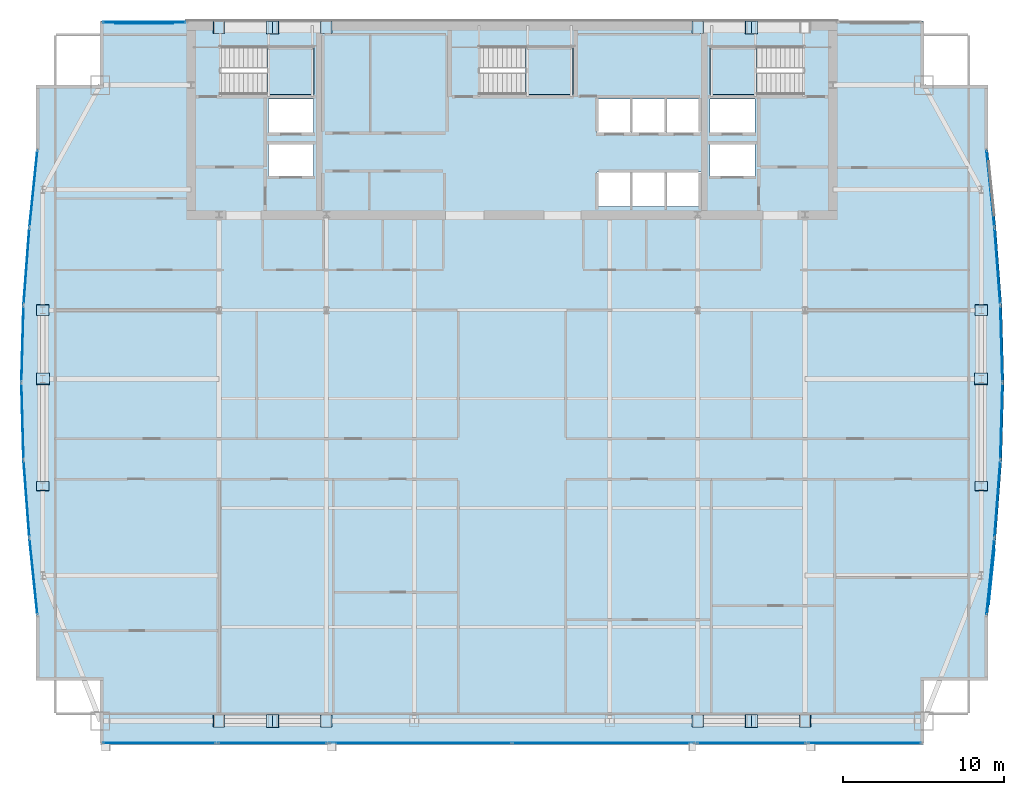
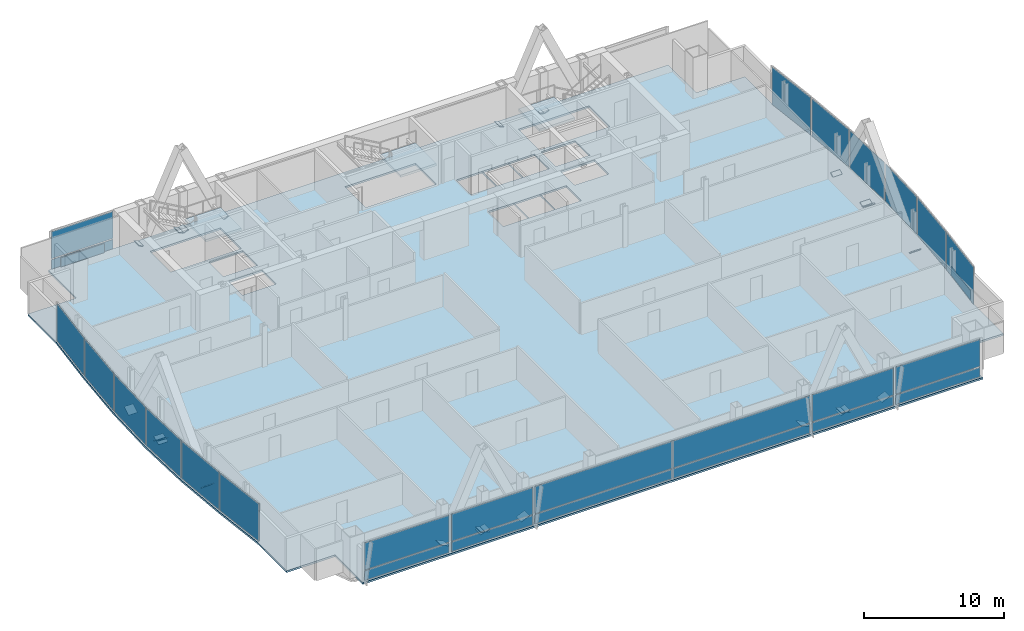
# One storey, part 26 of 32: 51 plates, 4 slabs, 21 elements without a shape of their own.
"""IFC4 building model written with IfcOpenShell, lengths in metres."""

from ifc_helpers import new_model, si_unit, direction, frame, origin, origin_2d, place, context, subcontext, project, spatial, polyline, rectangle, outline, extrude, material, layer, layer_set, type_object, element, aggregate, save


model = new_model("IFC4")

# Units and contexts
model_context = context("Model", 3, precision=1e-05, world=origin(), true_north=direction((0.0, 1.0)))
body_context = subcontext(model_context, "Body", "Model", "MODEL_VIEW")
ifc_project = project(units=[si_unit("LENGTHUNIT", "METRE"), si_unit("AREAUNIT", "SQUARE_METRE"), si_unit("VOLUMEUNIT", "CUBIC_METRE"), si_unit("PLANEANGLEUNIT", "RADIAN"), si_unit("MASSUNIT", "GRAM", prefix="KILO")], contexts=[model_context])

# Site, building, storey
site_placement = place(None, origin())
site = spatial("IfcSite", under=ifc_project, at=site_placement, CompositionType="ELEMENT")
building_placement = place(site_placement, origin())
building = spatial("IfcBuilding", under=site, at=building_placement, Name="Khoronbel Lancet Exchange", CompositionType="ELEMENT")
storey_placement = place(building_placement, frame((0.0, 0.0, 231.800048828125)))
storey = spatial("IfcBuildingStorey", under=building, at=storey_placement, Name="L59", CompositionType="ELEMENT", Elevation=231.800048828125)

# Curtain wall, plate
ifc_material_1 = material(Name="Low-E Solar Control Insulating Glass", Category="glass")
curtain_wall_type_1 = type_object("IfcCurtainWallType", Name="CW-4", PredefinedType="NOTDEFINED", material=ifc_material_1)
curtain_wall_1_placement = place(storey_placement, origin())
curtain_wall_1 = element("IfcCurtainWall", 1, at=curtain_wall_1_placement, inside=storey, type_object=curtain_wall_type_1, Name="Unitised curtain wall CW-L59-E05", PredefinedType="NOTDEFINED")
ifc_material_2 = material(Name="Bronze-Anodised Aluminium 6063-T6", Category="aluminium")
ifc_layer_1 = layer(ifc_material_2, 0.050048828125, Name="Bronze-Anodised Aluminium 6063-T6")
ifc_layer_set_1 = layer_set([ifc_layer_1], Name="Bronze-Anodised Aluminium 6063-T6")
plate_type_1 = type_object("IfcPlateType", Name="PLT-CSP1", PredefinedType="SHEET", material=ifc_layer_set_1)
plate_1_placement = place(storey_placement, frame((6.2568359375, 23.956298828125, 0.0849609375), z_axis=(0.0, 0.0, 1.0), x_axis=(-0.075498192491, 0.997145938632, 0.0)))
plate_1 = element("IfcPlate", 2, at=plate_1_placement, type_object=plate_type_1, Name="CW4 panel 1.1", PredefinedType="CURTAIN_PANEL", context=body_context, shape_type="SweptSolid", body=[
    extrude(rectangle(XDim=4.69384765625, YDim=0.0380859375, at=origin_2d()), origin(), (0.0, 0.0, 1.0), 3.27001953125),
])
aggregate(curtain_wall_1, [plate_1])

curtain_wall_2_placement = place(storey_placement, origin())
curtain_wall_2 = element("IfcCurtainWall", 3, at=curtain_wall_2_placement, inside=storey, type_object=curtain_wall_type_1, Name="Unitised curtain wall CW-L59-E06", PredefinedType="NOTDEFINED")
plate_2_placement = place(storey_placement, frame((6.0068359375, 28.78564453125, 0.0849609375), z_axis=(0.0, 0.0, 1.0), x_axis=(-0.027719375438, 0.999615744286, 0.0)))
plate_2 = element("IfcPlate", 4, at=plate_2_placement, type_object=plate_type_1, Name="CW4 panel 1.1", PredefinedType="CURTAIN_PANEL", context=body_context, shape_type="SweptSolid", body=[
    extrude(rectangle(XDim=4.6806640625, YDim=0.0380859375, at=origin_2d()), origin(), (0.0, 0.0, 1.0), 3.27001953125),
])
aggregate(curtain_wall_2, [plate_2])

curtain_wall_3_placement = place(storey_placement, origin())
curtain_wall_3 = element("IfcCurtainWall", 5, at=curtain_wall_3_placement, inside=storey, type_object=curtain_wall_type_1, Name="Unitised curtain wall CW-L59-E07", PredefinedType="NOTDEFINED")
plate_3_placement = place(storey_placement, frame((6.0068359375, 33.6142578125, 0.0849609375), z_axis=(0.0, 0.0, 1.0), x_axis=(0.027719375438, 0.999615744286, 0.0)))
plate_3 = element("IfcPlate", 6, at=plate_3_placement, type_object=plate_type_1, Name="CW4 panel 1.1", PredefinedType="CURTAIN_PANEL", context=body_context, shape_type="SweptSolid", body=[
    extrude(rectangle(XDim=4.6806640625, YDim=0.0380859375, at=origin_2d()), origin(), (0.0, 0.0, 1.0), 3.27001953125),
])
aggregate(curtain_wall_3, [plate_3])

curtain_wall_4_placement = place(storey_placement, origin())
curtain_wall_4 = element("IfcCurtainWall", 7, at=curtain_wall_4_placement, inside=storey, type_object=curtain_wall_type_1, Name="Unitised curtain wall CW-L59-E08", PredefinedType="NOTDEFINED")
plate_4_placement = place(storey_placement, frame((6.2568359375, 38.443603515625, 0.0849609375), z_axis=(0.0, 0.0, 1.0), x_axis=(0.075498192491, 0.997145938632, 0.0)))
plate_4 = element("IfcPlate", 8, at=plate_4_placement, type_object=plate_type_1, Name="CW4 panel 1.1", PredefinedType="CURTAIN_PANEL", context=body_context, shape_type="SweptSolid", body=[
    extrude(rectangle(XDim=4.69384765625, YDim=0.0380859375, at=origin_2d()), origin(), (0.0, 0.0, 1.0), 3.27001953125),
])
aggregate(curtain_wall_4, [plate_4])

curtain_wall_type_2 = type_object("IfcCurtainWallType", Name="CW-3", PredefinedType="NOTDEFINED", material=ifc_material_1)
curtain_wall_5_placement = place(storey_placement, origin())
curtain_wall_5 = element("IfcCurtainWall", 9, at=curtain_wall_5_placement, inside=storey, type_object=curtain_wall_type_2, Name="Unitised curtain wall CW-L59-NWFLK", PredefinedType="NOTDEFINED")
plate_5_placement = place(storey_placement, frame((13.580078125, 53.550048828125, 0.0498046875), z_axis=(0.0, 0.0, 1.0), x_axis=(-1.0, 0.0, 0.0)))
plate_5 = element("IfcPlate", 10, at=plate_5_placement, type_object=plate_type_1, Name="Insulated bronze spandrel cassette CW-L59-NWFLK", PredefinedType="SHEET", context=body_context, shape_type="SweptSolid", body=[
    extrude(rectangle(XDim=3.60009765625, YDim=0.050048828125, at=origin_2d()), origin(), (0.0, 0.0, 1.0), 0.800048828125),
])

curtain_wall_6_placement = place(storey_placement, origin())
curtain_wall_6 = element("IfcCurtainWall", 11, at=curtain_wall_6_placement, inside=storey, type_object=curtain_wall_type_1, Name="Unitised curtain wall CW-L59-E18", PredefinedType="NOTDEFINED")
plate_6_placement = place(storey_placement, frame((66.643310546875, 38.443603515625, 0.0849609375), z_axis=(0.0, 0.0, 1.0), x_axis=(0.075498192491, -0.997145938632, 0.0)))
plate_6 = element("IfcPlate", 12, at=plate_6_placement, type_object=plate_type_1, Name="CW4 panel 1.1", PredefinedType="CURTAIN_PANEL", context=body_context, shape_type="SweptSolid", body=[
    extrude(rectangle(XDim=4.69384765625, YDim=0.0380859375, at=origin_2d()), origin(), (0.0, 0.0, 1.0), 3.27001953125),
])
aggregate(curtain_wall_6, [plate_6])

curtain_wall_7_placement = place(storey_placement, origin())
curtain_wall_7 = element("IfcCurtainWall", 13, at=curtain_wall_7_placement, inside=storey, type_object=curtain_wall_type_1, Name="Unitised curtain wall CW-L59-E19", PredefinedType="NOTDEFINED")
plate_7_placement = place(storey_placement, frame((66.89306640625, 33.6142578125, 0.0849609375), z_axis=(0.0, 0.0, 1.0), x_axis=(0.027719375438, -0.999615744286, 0.0)))
plate_7 = element("IfcPlate", 14, at=plate_7_placement, type_object=plate_type_1, Name="CW4 panel 1.1", PredefinedType="CURTAIN_PANEL", context=body_context, shape_type="SweptSolid", body=[
    extrude(rectangle(XDim=4.6806640625, YDim=0.0380859375, at=origin_2d()), origin(), (0.0, 0.0, 1.0), 3.27001953125),
])
aggregate(curtain_wall_7, [plate_7])

curtain_wall_8_placement = place(storey_placement, origin())
curtain_wall_8 = element("IfcCurtainWall", 15, at=curtain_wall_8_placement, inside=storey, type_object=curtain_wall_type_1, Name="Unitised curtain wall CW-L59-E20", PredefinedType="NOTDEFINED")
plate_8_placement = place(storey_placement, frame((66.89306640625, 28.78564453125, 0.0849609375), z_axis=(0.0, 0.0, 1.0), x_axis=(-0.027719375438, -0.999615744286, 0.0)))
plate_8 = element("IfcPlate", 16, at=plate_8_placement, type_object=plate_type_1, Name="CW4 panel 1.1", PredefinedType="CURTAIN_PANEL", context=body_context, shape_type="SweptSolid", body=[
    extrude(rectangle(XDim=4.6806640625, YDim=0.0380859375, at=origin_2d()), origin(), (0.0, 0.0, 1.0), 3.27001953125),
])
aggregate(curtain_wall_8, [plate_8])

curtain_wall_9_placement = place(storey_placement, origin())
curtain_wall_9 = element("IfcCurtainWall", 17, at=curtain_wall_9_placement, inside=storey, type_object=curtain_wall_type_1, Name="Unitised curtain wall CW-L59-E21", PredefinedType="NOTDEFINED")
plate_9_placement = place(storey_placement, frame((66.643310546875, 23.956298828125, 0.0849609375), z_axis=(0.0, 0.0, 1.0), x_axis=(-0.075498192491, -0.997145938632, 0.0)))
plate_9 = element("IfcPlate", 18, at=plate_9_placement, type_object=plate_type_1, Name="CW4 panel 1.1", PredefinedType="CURTAIN_PANEL", context=body_context, shape_type="SweptSolid", body=[
    extrude(rectangle(XDim=4.69384765625, YDim=0.0380859375, at=origin_2d()), origin(), (0.0, 0.0, 1.0), 3.27001953125),
])
aggregate(curtain_wall_9, [plate_9])

curtain_wall_10_placement = place(storey_placement, origin())
curtain_wall_10 = element("IfcCurtainWall", 19, at=curtain_wall_10_placement, inside=storey, type_object=curtain_wall_type_1, Name="Unitised curtain wall CW-L59-E22", PredefinedType="NOTDEFINED")
plate_10_placement = place(storey_placement, frame((66.27001953125, 19.11669921875, 0.0498046875), z_axis=(0.0, 0.0, 1.0), x_axis=(-0.102909675768, -0.99469070501, 0.0)))
plate_10 = element("IfcPlate", 20, at=plate_10_placement, type_object=plate_type_1, Name="Insulated bronze spandrel cassette CW-L59-E22", PredefinedType="SHEET", context=body_context, shape_type="SweptSolid", body=[
    extrude(rectangle(XDim=3.40380859375, YDim=0.050048828125, at=origin_2d()), origin(), (0.0, 0.0, 1.0), 0.800048828125),
])

# Curtain wall, plates
curtain_wall_11_placement = place(storey_placement, origin())
curtain_wall_11 = element("IfcCurtainWall", 21, at=curtain_wall_11_placement, inside=storey, type_object=curtain_wall_type_2, Name="Unitised curtain wall CW-L59-SWB", PredefinedType="NOTDEFINED")
plate_11_placement = place(storey_placement, frame((21.550048828125, 8.7900390625, 0.0849609375), z_axis=(0.0, 0.0, 1.0), x_axis=(1.0, 0.0, 0.0)))
plate_11 = element("IfcPlate", 22, at=plate_11_placement, type_object=plate_type_1, Name="CW3 panel 1.1", PredefinedType="CURTAIN_PANEL", context=body_context, shape_type="SweptSolid", body=[
    extrude(rectangle(XDim=6.72998046875, YDim=0.0380859375, at=origin_2d()), origin(), (0.0, 0.0, 1.0), 0.822509765625),
])
plate_12_placement = place(storey_placement, frame((21.550048828125, 8.7900390625, 0.9921875), z_axis=(0.0, 0.0, 1.0), x_axis=(1.0, 0.0, 0.0)))
plate_12 = element("IfcPlate", 23, at=plate_12_placement, type_object=plate_type_1, Name="CW3 panel 1.2", PredefinedType="CURTAIN_PANEL", context=body_context, shape_type="SweptSolid", body=[
    extrude(rectangle(XDim=6.72998046875, YDim=0.0380859375, at=origin_2d()), origin(), (0.0, 0.0, 1.0), 2.362548828125),
])
aggregate(curtain_wall_11, [plate_11, plate_12])

curtain_wall_12_placement = place(storey_placement, origin())
curtain_wall_12 = element("IfcCurtainWall", 24, at=curtain_wall_12_placement, inside=storey, type_object=curtain_wall_type_2, Name="Unitised curtain wall CW-L59-SEB", PredefinedType="NOTDEFINED")
plate_13_placement = place(storey_placement, frame((51.35009765625, 8.7900390625, 0.0849609375), z_axis=(0.0, 0.0, 1.0), x_axis=(1.0, 0.0, 0.0)))
plate_13 = element("IfcPlate", 25, at=plate_13_placement, type_object=plate_type_1, Name="CW3 panel 1.1", PredefinedType="CURTAIN_PANEL", context=body_context, shape_type="SweptSolid", body=[
    extrude(rectangle(XDim=6.72998046875, YDim=0.0380859375, at=origin_2d()), origin(), (0.0, 0.0, 1.0), 0.822509765625),
])
plate_14_placement = place(storey_placement, frame((51.35009765625, 8.7900390625, 0.9921875), z_axis=(0.0, 0.0, 1.0), x_axis=(1.0, 0.0, 0.0)))
plate_14 = element("IfcPlate", 26, at=plate_14_placement, type_object=plate_type_1, Name="CW3 panel 1.2", PredefinedType="CURTAIN_PANEL", context=body_context, shape_type="SweptSolid", body=[
    extrude(rectangle(XDim=6.72998046875, YDim=0.0380859375, at=origin_2d()), origin(), (0.0, 0.0, 1.0), 2.362548828125),
])
aggregate(curtain_wall_12, [plate_13, plate_14])

# Plate
ifc_layer_2 = layer(ifc_material_1, 0.035888671875, Name="Low-E Solar Control Insulating Glass")
ifc_layer_set_2 = layer_set([ifc_layer_2], Name="Low-E Solar Control Insulating Glass")
plate_type_2 = type_object("IfcPlateType", Name="PLT-CWP1", PredefinedType="CURTAIN_PANEL", material=ifc_layer_set_2)
plate_15_placement = place(storey_placement, frame((13.580078125, 53.610107421875, 0.0849609375), z_axis=(0.0, 0.0, 1.0), x_axis=(-1.0, 0.0, 0.0)))
plate_15 = element("IfcPlate", 27, at=plate_15_placement, type_object=plate_type_2, Name="CW3 panel 1.1", PredefinedType="CURTAIN_PANEL", context=body_context, shape_type="SweptSolid", body=[
    extrude(rectangle(XDim=5.110107421875, YDim=0.0380859375, at=origin_2d()), origin(), (0.0, 0.0, 1.0), 0.822509765625),
])

plate_16_placement = place(storey_placement, frame((13.580078125, 53.610107421875, 0.9921875), z_axis=(0.0, 0.0, 1.0), x_axis=(-1.0, 0.0, 0.0)))
plate_16 = element("IfcPlate", 28, at=plate_16_placement, type_object=plate_type_2, Name="CW3 panel 1.2", PredefinedType="CURTAIN_PANEL", context=body_context, shape_type="SweptSolid", body=[
    extrude(rectangle(XDim=5.110107421875, YDim=0.0380859375, at=origin_2d()), origin(), (0.0, 0.0, 1.0), 2.362548828125),
])

aggregate(curtain_wall_5, [plate_15, plate_16, plate_5])

# Curtain wall, plates
curtain_wall_13_placement = place(storey_placement, origin())
curtain_wall_13 = element("IfcCurtainWall", 29, at=curtain_wall_13_placement, inside=storey, type_object=curtain_wall_type_2, Name="Unitised curtain wall CW-L59-SWV", PredefinedType="NOTDEFINED")
plate_17_placement = place(storey_placement, frame((14.52001953125, 8.7900390625, 0.0849609375), z_axis=(0.0, 0.0, 1.0), x_axis=(1.0, 0.0, 0.0)))
plate_17 = element("IfcPlate", 30, at=plate_17_placement, type_object=plate_type_2, Name="CW3 panel 1.1", PredefinedType="CURTAIN_PANEL", context=body_context, shape_type="SweptSolid", body=[
    extrude(rectangle(XDim=6.989990234375, YDim=0.0380859375, at=origin_2d()), origin(), (0.0, 0.0, 1.0), 0.822509765625),
])
plate_18_placement = place(storey_placement, frame((14.52001953125, 8.7900390625, 0.9921875), z_axis=(0.0, 0.0, 1.0), x_axis=(1.0, 0.0, 0.0)))
plate_18 = element("IfcPlate", 31, at=plate_18_placement, type_object=plate_type_2, Name="CW3 panel 1.2", PredefinedType="CURTAIN_PANEL", context=body_context, shape_type="SweptSolid", body=[
    extrude(rectangle(XDim=6.989990234375, YDim=0.0380859375, at=origin_2d()), origin(), (0.0, 0.0, 1.0), 2.362548828125),
])
aggregate(curtain_wall_13, [plate_17, plate_18])

curtain_wall_14_placement = place(storey_placement, origin())
curtain_wall_14 = element("IfcCurtainWall", 32, at=curtain_wall_14_placement, inside=storey, type_object=curtain_wall_type_2, Name="Unitised curtain wall CW-L59-SCV", PredefinedType="NOTDEFINED")
plate_19_placement = place(storey_placement, frame((30.746337890625, 8.7900390625, 0.0849609375), z_axis=(0.0, 0.0, 1.0), x_axis=(1.0, 0.0, 0.0)))
plate_19 = element("IfcPlate", 33, at=plate_19_placement, type_object=plate_type_2, Name="CW3 panel 1.1", PredefinedType="CURTAIN_PANEL", context=body_context, shape_type="SweptSolid", body=[
    extrude(rectangle(XDim=11.322509765625, YDim=0.0380859375, at=origin_2d()), origin(), (0.0, 0.0, 1.0), 0.822509765625),
])
plate_20_placement = place(storey_placement, frame((30.746337890625, 8.7900390625, 0.9921875), z_axis=(0.0, 0.0, 1.0), x_axis=(1.0, 0.0, 0.0)))
plate_20 = element("IfcPlate", 34, at=plate_20_placement, type_object=plate_type_2, Name="CW3 panel 1.2", PredefinedType="CURTAIN_PANEL", context=body_context, shape_type="SweptSolid", body=[
    extrude(rectangle(XDim=11.322509765625, YDim=0.0380859375, at=origin_2d()), origin(), (0.0, 0.0, 1.0), 2.362548828125),
])
plate_21_placement = place(storey_placement, frame((42.15380859375, 8.7900390625, 0.0849609375), z_axis=(0.0, 0.0, 1.0), x_axis=(1.0, 0.0, 0.0)))
plate_21 = element("IfcPlate", 35, at=plate_21_placement, type_object=plate_type_2, Name="CW3 panel 2.1", PredefinedType="CURTAIN_PANEL", context=body_context, shape_type="SweptSolid", body=[
    extrude(rectangle(XDim=11.322509765625, YDim=0.0380859375, at=origin_2d()), origin(), (0.0, 0.0, 1.0), 0.822509765625),
])
plate_22_placement = place(storey_placement, frame((42.15380859375, 8.7900390625, 0.9921875), z_axis=(0.0, 0.0, 1.0), x_axis=(1.0, 0.0, 0.0)))
plate_22 = element("IfcPlate", 36, at=plate_22_placement, type_object=plate_type_2, Name="CW3 panel 2.2", PredefinedType="CURTAIN_PANEL", context=body_context, shape_type="SweptSolid", body=[
    extrude(rectangle(XDim=11.322509765625, YDim=0.0380859375, at=origin_2d()), origin(), (0.0, 0.0, 1.0), 2.362548828125),
])
aggregate(curtain_wall_14, [plate_19, plate_20, plate_21, plate_22])

curtain_wall_15_placement = place(storey_placement, origin())
curtain_wall_15 = element("IfcCurtainWall", 37, at=curtain_wall_15_placement, inside=storey, type_object=curtain_wall_type_2, Name="Unitised curtain wall CW-L59-SEV", PredefinedType="NOTDEFINED")
plate_23_placement = place(storey_placement, frame((58.3798828125, 8.7900390625, 0.0849609375), z_axis=(0.0, 0.0, 1.0), x_axis=(1.0, 0.0, 0.0)))
plate_23 = element("IfcPlate", 38, at=plate_23_placement, type_object=plate_type_2, Name="CW3 panel 1.1", PredefinedType="CURTAIN_PANEL", context=body_context, shape_type="SweptSolid", body=[
    extrude(rectangle(XDim=6.989990234375, YDim=0.0380859375, at=origin_2d()), origin(), (0.0, 0.0, 1.0), 0.822509765625),
])
plate_24_placement = place(storey_placement, frame((58.3798828125, 8.7900390625, 0.9921875), z_axis=(0.0, 0.0, 1.0), x_axis=(1.0, 0.0, 0.0)))
plate_24 = element("IfcPlate", 39, at=plate_24_placement, type_object=plate_type_2, Name="CW3 panel 1.2", PredefinedType="CURTAIN_PANEL", context=body_context, shape_type="SweptSolid", body=[
    extrude(rectangle(XDim=6.989990234375, YDim=0.0380859375, at=origin_2d()), origin(), (0.0, 0.0, 1.0), 2.362548828125),
])
aggregate(curtain_wall_15, [plate_23, plate_24])

# Curtain wall, plate
curtain_wall_16_placement = place(storey_placement, origin())
curtain_wall_16 = element("IfcCurtainWall", 40, at=curtain_wall_16_placement, inside=storey, type_object=curtain_wall_type_1, Name="Unitised curtain wall CW-L59-E04", PredefinedType="NOTDEFINED")
ifc_material_3 = material(Name="Ceramic-Fritted Laminated Insulating Glass", Category="glass")
ifc_layer_3 = layer(ifc_material_3, 0.0419921875, Name="Ceramic-Fritted Laminated Insulating Glass")
ifc_layer_set_3 = layer_set([ifc_layer_3], Name="Ceramic-Fritted Laminated Insulating Glass")
plate_type_3 = type_object("IfcPlateType", Name="PLT-CWP2", PredefinedType="CURTAIN_PANEL", material=ifc_layer_set_3)
plate_25_placement = place(storey_placement, frame((6.689697265625, 19.123046875, 0.0849609375), z_axis=(0.0, 0.0, 1.0), x_axis=(-0.102909675768, 0.99469070501, 0.0)))
plate_25 = element("IfcPlate", 41, at=plate_25_placement, type_object=plate_type_3, Name="CW4 panel 1.1", PredefinedType="CURTAIN_PANEL", context=body_context, shape_type="SweptSolid", body=[
    extrude(rectangle(XDim=4.71240234375, YDim=0.0380859375, at=origin_2d()), origin(), (0.0, 0.0, 1.0), 3.27001953125),
])
aggregate(curtain_wall_16, [plate_25])

curtain_wall_17_placement = place(storey_placement, origin())
curtain_wall_17 = element("IfcCurtainWall", 42, at=curtain_wall_17_placement, inside=storey, type_object=curtain_wall_type_1, Name="Unitised curtain wall CW-L59-E09", PredefinedType="NOTDEFINED")
plate_26_placement = place(storey_placement, frame((6.689697265625, 43.277099609375, 0.0849609375), z_axis=(0.0, 0.0, 1.0), x_axis=(0.102909675768, 0.99469070501, 0.0)))
plate_26 = element("IfcPlate", 43, at=plate_26_placement, type_object=plate_type_3, Name="CW4 panel 1.1", PredefinedType="CURTAIN_PANEL", context=body_context, shape_type="SweptSolid", body=[
    extrude(rectangle(XDim=4.71240234375, YDim=0.0380859375, at=origin_2d()), origin(), (0.0, 0.0, 1.0), 3.27001953125),
])
aggregate(curtain_wall_17, [plate_26])

curtain_wall_18_placement = place(storey_placement, origin())
curtain_wall_18 = element("IfcCurtainWall", 44, at=curtain_wall_18_placement, inside=storey, type_object=curtain_wall_type_1, Name="Unitised curtain wall CW-L59-E17", PredefinedType="NOTDEFINED")
plate_27_placement = place(storey_placement, frame((66.210205078125, 43.277099609375, 0.0849609375), z_axis=(0.0, 0.0, 1.0), x_axis=(0.102909675768, -0.99469070501, 0.0)))
plate_27 = element("IfcPlate", 45, at=plate_27_placement, type_object=plate_type_3, Name="CW4 panel 1.1", PredefinedType="CURTAIN_PANEL", context=body_context, shape_type="SweptSolid", body=[
    extrude(rectangle(XDim=4.71240234375, YDim=0.0380859375, at=origin_2d()), origin(), (0.0, 0.0, 1.0), 3.27001953125),
])
aggregate(curtain_wall_18, [plate_27])

# Plate
plate_28_placement = place(storey_placement, frame((66.210205078125, 19.123046875, 0.0849609375), z_axis=(0.0, 0.0, 1.0), x_axis=(-0.102909675768, -0.99469070501, 0.0)))
plate_28 = element("IfcPlate", 46, at=plate_28_placement, type_object=plate_type_3, Name="CW4 panel 1.1", PredefinedType="CURTAIN_PANEL", context=body_context, shape_type="SweptSolid", body=[
    extrude(rectangle(XDim=4.71240234375, YDim=0.0380859375, at=origin_2d()), origin(), (0.0, 0.0, 1.0), 3.27001953125),
])

aggregate(curtain_wall_10, [plate_28, plate_10])

# Plates
ifc_material_4 = material(Name="Steel S460", Category="steel")
ifc_layer_4 = layer(ifc_material_4, 0.044921875, Name="Steel S460")
ifc_layer_set_4 = layer_set([ifc_layer_4], Name="Steel S460")
plate_type_4 = type_object("IfcPlateType", Name="PLT-ECP1", PredefinedType="USERDEFINED", material=ifc_layer_set_4)
for number, where, z_axis, x_axis, name in (
    (47, (21.954345703125, 9.75, -0.086669921875), (0.295458235126, 0.0, 0.955355656966), (0.0, 1.0, 0.0), "Hollow end cap plate PLT-CAP-MEM-MB-T19-S-W-L-1"),
    (48, (21.170654296875, 10.550048828125, -0.086669921875), (-0.295458235126, 0.0, 0.955355656966), (0.0, -1.0, 0.0), "Hollow end cap plate PLT-CAP-MEM-MB-T19-S-W-R-1"),
):
    element("IfcPlate", number, at=place(storey_placement, frame(where, z_axis=z_axis, x_axis=x_axis)), inside=storey, type_object=plate_type_4, Name=name, ObjectType="STIFFENER_PLATE", PredefinedType="USERDEFINED", context=body_context, shape_type="SweptSolid", body=[
        extrude(outline(polyline([(0.0, 0.0), (0.800048828125, 0.0), (0.800048828125, 0.7998046875), (0.0, 0.7998046875), (0.0, 0.0)])), origin(), (0.0, 0.0, -1.0), 0.044921875),
    ])
for number, where, z_axis, x_axis, name in (
    (49, (51.7294921875, 9.75, -0.086669921875), (0.295372103756, 0.0, 0.955382290145), (0.0, 1.0, 0.0), "Hollow end cap plate PLT-CAP-MEM-MB-T19-S-E-L-1"),
    (50, (50.945556640625, 10.550048828125, -0.086669921875), (-0.295372103756, 0.0, 0.955382290145), (0.0, -1.0, 0.0), "Hollow end cap plate PLT-CAP-MEM-MB-T19-S-E-R-1"),
):
    element("IfcPlate", number, at=place(storey_placement, frame(where, z_axis=z_axis, x_axis=x_axis)), inside=storey, type_object=plate_type_4, Name=name, ObjectType="STIFFENER_PLATE", PredefinedType="USERDEFINED", context=body_context, shape_type="SweptSolid", body=[
        extrude(outline(polyline([(0.0, 0.0), (0.800048828125, 0.0), (0.800048828125, 0.800048828125), (0.0, 0.800048828125), (0.0, 0.0)])), origin(), (0.0, 0.0, -1.0), 0.044921875),
    ])
for number, where, z_axis, x_axis, name in (
    (51, (21.954345703125, 52.8798828125, -0.086669921875), (0.295458235126, 0.0, 0.955355656966), (0.0, 1.0, 0.0), "Hollow end cap plate PLT-CAP-MEM-MB-T19-N-W-L-1"),
    (52, (21.170654296875, 53.679931640625, -0.086669921875), (-0.295458235126, 0.0, 0.955355656966), (0.0, -1.0, 0.0), "Hollow end cap plate PLT-CAP-MEM-MB-T19-N-W-R-1"),
):
    element("IfcPlate", number, at=place(storey_placement, frame(where, z_axis=z_axis, x_axis=x_axis)), inside=storey, type_object=plate_type_4, Name=name, ObjectType="STIFFENER_PLATE", PredefinedType="USERDEFINED", context=body_context, shape_type="SweptSolid", body=[
        extrude(outline(polyline([(0.0, 0.0), (0.800048828125, 0.0), (0.800048828125, 0.7998046875), (0.0, 0.7998046875), (0.0, 0.0)])), origin(), (0.0, 0.0, -1.0), 0.044921875),
    ])
for number, where, z_axis, x_axis, name in (
    (53, (51.7294921875, 52.8798828125, -0.086669921875), (0.295372103756, 0.0, 0.955382290145), (0.0, 1.0, 0.0), "Hollow end cap plate PLT-CAP-MEM-MB-T19-N-E-L-1"),
    (54, (50.945556640625, 53.679931640625, -0.086669921875), (-0.295372103756, 0.0, 0.955382290145), (0.0, -1.0, 0.0), "Hollow end cap plate PLT-CAP-MEM-MB-T19-N-E-R-1"),
):
    element("IfcPlate", number, at=place(storey_placement, frame(where, z_axis=z_axis, x_axis=x_axis)), inside=storey, type_object=plate_type_4, Name=name, ObjectType="STIFFENER_PLATE", PredefinedType="USERDEFINED", context=body_context, shape_type="SweptSolid", body=[
        extrude(outline(polyline([(0.0, 0.0), (0.800048828125, 0.0), (0.800048828125, 0.800048828125), (0.0, 0.800048828125), (0.0, 0.0)])), origin(), (0.0, 0.0, -1.0), 0.044921875),
    ])
plate_29_placement = place(storey_placement, frame((7.669921875, 31.78271484375, -0.182373046875), z_axis=(0.0, 0.525713722958, 0.850661555199), x_axis=(-1.0, 0.0, 0.0)))
element("IfcPlate", 55, at=plate_29_placement, inside=storey, type_object=plate_type_4, Name="Hollow end cap plate PLT-CAP-MEM-MB-T19-W-P-L-1", ObjectType="STIFFENER_PLATE", PredefinedType="USERDEFINED", context=body_context, shape_type="SweptSolid", body=[
    extrude(outline(polyline([(0.0, 0.0), (0.7998046875, 0.0), (0.7998046875, 0.800048828125), (0.0, 0.800048828125), (0.0, 0.0)])), origin(), (0.0, 0.0, -1.0), 0.044921875),
])
plate_30_placement = place(storey_placement, frame((6.8701171875, 31.041015625, -0.11669921875), z_axis=(0.0, -0.368125419582, 0.929776142659), x_axis=(1.0, 0.0, 0.0)))
element("IfcPlate", 56, at=plate_30_placement, inside=storey, type_object=plate_type_4, Name="Hollow end cap plate PLT-CAP-MEM-MB-T19-W-P-R-1", ObjectType="STIFFENER_PLATE", PredefinedType="USERDEFINED", context=body_context, shape_type="SweptSolid", body=[
    extrude(outline(polyline([(0.0, 0.0), (0.7998046875, 0.0), (0.7998046875, 0.7998046875), (0.0, 0.7998046875), (0.0, 0.0)])), origin(), (0.0, 0.0, -1.0), 0.044921875),
])
plate_31_placement = place(storey_placement, frame((66.030029296875, 31.78271484375, -0.182373046875), z_axis=(0.0, 0.525713722958, 0.850661555199), x_axis=(-1.0, 0.0, 0.0)))
element("IfcPlate", 57, at=plate_31_placement, inside=storey, type_object=plate_type_4, Name="Hollow end cap plate PLT-CAP-MEM-MB-T19-E-P-L-1", ObjectType="STIFFENER_PLATE", PredefinedType="USERDEFINED", context=body_context, shape_type="SweptSolid", body=[
    extrude(outline(polyline([(0.0, 0.0), (0.800048828125, 0.0), (0.800048828125, 0.800048828125), (0.0, 0.800048828125), (0.0, 0.0)])), origin(), (0.0, 0.0, -1.0), 0.044921875),
])
plate_32_placement = place(storey_placement, frame((65.22998046875, 31.041015625, -0.11669921875), z_axis=(0.0, -0.368125419582, 0.929776142659), x_axis=(1.0, 0.0, 0.0)))
element("IfcPlate", 58, at=plate_32_placement, inside=storey, type_object=plate_type_4, Name="Hollow end cap plate PLT-CAP-MEM-MB-T19-E-P-R-1", ObjectType="STIFFENER_PLATE", PredefinedType="USERDEFINED", context=body_context, shape_type="SweptSolid", body=[
    extrude(outline(polyline([(0.0, 0.0), (0.800048828125, 0.0), (0.800048828125, 0.7998046875), (0.0, 0.7998046875), (0.0, 0.0)])), origin(), (0.0, 0.0, -1.0), 0.044921875),
])
for number, where, z_axis, x_axis, name in (
    (59, (18.57470703125, 9.77001953125, -0.14892578125), (0.420544868923, 0.0, 0.907271741664), (0.0, 1.0, 0.0), "Hollow end cap plate PLT-CAP-MEM-MB-T20-S-W-L-0"),
    (60, (24.55029296875, 10.530029296875, -0.14892578125), (-0.420544868923, 0.0, 0.907271741664), (0.0, -1.0, 0.0), "Hollow end cap plate PLT-CAP-MEM-MB-T20-S-W-R-0"),
    (61, (48.349853515625, 9.77001953125, -0.14892578125), (0.420544868923, 0.0, 0.907271741664), (0.0, 1.0, 0.0), "Hollow end cap plate PLT-CAP-MEM-MB-T20-S-E-L-0"),
    (62, (54.3251953125, 10.530029296875, -0.14892578125), (-0.420544868923, 0.0, 0.907271741664), (0.0, -1.0, 0.0), "Hollow end cap plate PLT-CAP-MEM-MB-T20-S-E-R-0"),
    (63, (18.57470703125, 52.89990234375, -0.14892578125), (0.420544868923, 0.0, 0.907271741664), (0.0, 1.0, 0.0), "Hollow end cap plate PLT-CAP-MEM-MB-T20-N-W-L-0"),
    (64, (24.55029296875, 53.659912109375, -0.14892578125), (-0.420544868923, 0.0, 0.907271741664), (0.0, -1.0, 0.0), "Hollow end cap plate PLT-CAP-MEM-MB-T20-N-W-R-0"),
    (65, (48.349853515625, 52.89990234375, -0.14892578125), (0.420544868923, 0.0, 0.907271741664), (0.0, 1.0, 0.0), "Hollow end cap plate PLT-CAP-MEM-MB-T20-N-E-L-0"),
    (66, (7.64990234375, 25.036865234375, -0.24951171875), (0.0, 0.679773094815, 0.733422483678), (-1.0, 0.0, 0.0), "Hollow end cap plate PLT-CAP-MEM-MB-T20-W-P-L-0"),
    (67, (6.889892578125, 35.3671875, -0.183837890625), (0.0, -0.510805944928, 0.859696043161), (1.0, 0.0, 0.0), "Hollow end cap plate PLT-CAP-MEM-MB-T20-W-P-R-0"),
    (68, (66.010009765625, 25.036865234375, -0.24951171875), (0.0, 0.679773094815, 0.733422483678), (-1.0, 0.0, 0.0), "Hollow end cap plate PLT-CAP-MEM-MB-T20-E-P-L-0"),
    (69, (65.25, 35.3671875, -0.183837890625), (0.0, -0.510805944928, 0.859696043161), (1.0, 0.0, 0.0), "Hollow end cap plate PLT-CAP-MEM-MB-T20-E-P-R-0"),
):
    element("IfcPlate", number, at=place(storey_placement, frame(where, z_axis=z_axis, x_axis=x_axis)), inside=storey, type_object=plate_type_4, Name=name, ObjectType="STIFFENER_PLATE", PredefinedType="USERDEFINED", context=body_context, shape_type="SweptSolid", body=[
        extrude(outline(polyline([(0.0, 0.0), (0.760009765625, 0.0), (0.760009765625, 0.760009765625), (0.0, 0.760009765625), (0.0, 0.0)])), origin(), (0.0, 0.0, -1.0), 0.044921875),
    ])

# Slab
ifc_material_5 = material(Name="Concrete C40/50", Category="concrete")
ifc_layer_5 = layer(ifc_material_5, 0.159912109375, Name="Concrete C40/50")
ifc_layer_set_5 = layer_set([ifc_layer_5], Name="Concrete C40/50")
slab_type_1 = type_object("IfcSlabType", Name="SL-FL160", PredefinedType="FLOOR", material=ifc_layer_set_5)
slab_1_placement = place(storey_placement, frame((0.0, 0.0, -0.16015625)))
element("IfcSlab", 70, at=slab_1_placement, inside=storey, type_object=slab_type_1, Name="Level L59 composite structural floor slab", PredefinedType="FLOOR", context=body_context, shape_type="SweptSolid", body=[
    extrude(outline(polyline([(10.85009765625, 8.699951171875), (62.050048828125, 8.699951171875), (62.050048828125, 12.699951171875), (66.050048828125, 12.699951171875), (66.050048828125, 16.699951171875), (66.550048828125, 21.533203125), (66.916015625, 26.36669921875), (67.050048828125, 31.199951171875), (66.916015625, 36.033203125), (66.550048828125, 40.86669921875), (66.050048828125, 45.699951171875), (66.050048828125, 49.699951171875), (62.050048828125, 49.699951171875), (62.050048828125, 53.699951171875), (10.85009765625, 53.699951171875), (10.85009765625, 49.699951171875), (6.85009765625, 49.699951171875), (6.85009765625, 45.699951171875), (6.35009765625, 40.86669921875), (5.98388671875, 36.033203125), (5.85009765625, 31.199951171875), (5.98388671875, 26.36669921875), (6.35009765625, 21.533203125), (6.85009765625, 16.699951171875), (6.85009765625, 12.699951171875), (10.85009765625, 12.699951171875), (10.85009765625, 8.699951171875)]), holes=[polyline([(18.324951171875, 49.1201171875), (24.14990234375, 49.1201171875), (24.14990234375, 52.10009765625), (18.324951171875, 52.10009765625), (18.324951171875, 49.1201171875)]), polyline([(48.75, 49.1201171875), (54.574951171875, 49.1201171875), (54.574951171875, 52.10009765625), (48.75, 52.10009765625), (48.75, 49.1201171875)]), polyline([(34.425048828125, 49.1201171875), (40.25, 49.1201171875), (40.25, 52.10009765625), (34.425048828125, 52.10009765625), (34.425048828125, 49.1201171875)]), polyline([(41.739990234375, 46.75), (43.8798828125, 46.75), (43.8798828125, 48.85009765625), (41.739990234375, 48.85009765625), (41.739990234375, 46.75)]), polyline([(43.89990234375, 46.75), (46.0400390625, 46.75), (46.0400390625, 48.85009765625), (43.89990234375, 48.85009765625), (43.89990234375, 46.75)]), polyline([(46.06005859375, 46.75), (48.199951171875, 46.75), (48.199951171875, 48.85009765625), (46.06005859375, 48.85009765625), (46.06005859375, 46.75)]), polyline([(41.739990234375, 42.14990234375), (43.8798828125, 42.14990234375), (43.8798828125, 44.300048828125), (41.739990234375, 44.300048828125), (41.739990234375, 42.14990234375)]), polyline([(43.89990234375, 42.14990234375), (46.0400390625, 42.14990234375), (46.0400390625, 44.300048828125), (43.89990234375, 44.300048828125), (43.89990234375, 42.14990234375)]), polyline([(46.06005859375, 42.14990234375), (48.199951171875, 42.14990234375), (48.199951171875, 44.300048828125), (46.06005859375, 44.300048828125), (46.06005859375, 42.14990234375)]), polyline([(21.300048828125, 46.75), (24.10009765625, 46.75), (24.10009765625, 48.85009765625), (21.300048828125, 48.85009765625), (21.300048828125, 46.75)]), polyline([(48.75, 46.75), (51.550048828125, 46.75), (51.550048828125, 48.85009765625), (48.75, 48.85009765625), (48.75, 46.75)]), polyline([(21.300048828125, 44.050048828125), (24.10009765625, 44.050048828125), (24.10009765625, 46.050048828125), (21.300048828125, 46.050048828125), (21.300048828125, 44.050048828125)]), polyline([(48.75, 44.050048828125), (51.550048828125, 44.050048828125), (51.550048828125, 46.050048828125), (48.75, 46.050048828125), (48.75, 44.050048828125)])]), origin(), (0.0, 0.0, 1.0), 0.16015625),
])

# Stair, slab
stair_type = type_object("IfcStairType", Name="STR-CORE150", PredefinedType="HALF_TURN_STAIR", material=ifc_material_5)
stair_1_placement = place(storey_placement, origin())
stair_1 = element("IfcStair", 71, at=stair_1_placement, inside=storey, type_object=stair_type, Name="L59 Protected Exit Stair ST1", PredefinedType="HALF_TURN_STAIR")
ifc_layer_6 = layer(ifc_material_5, 0.199951171875, Name="Concrete C40/50")
ifc_layer_set_6 = layer_set([ifc_layer_6], Name="Concrete C40/50")
slab_type_2 = type_object("IfcSlabType", Name="SL-LND180", PredefinedType="LANDING", material=ifc_layer_set_6)
slab_2_placement = place(storey_placement, frame((0.0, 0.0, 1.599853515625)))
slab_2 = element("IfcSlab", 72, at=slab_2_placement, type_object=slab_type_2, Name="ST1 landing 1", PredefinedType="LANDING", context=body_context, shape_type="SweptSolid", body=[
    extrude(outline(polyline([(21.199951171875, 49.1201171875), (24.14990234375, 49.1201171875), (24.14990234375, 52.10009765625), (21.199951171875, 52.10009765625), (21.199951171875, 49.1201171875)])), origin(), (0.0, 0.0, 1.0), 0.2001953125),
])
aggregate(stair_1, [slab_2])

stair_2_placement = place(storey_placement, origin())
stair_2 = element("IfcStair", 73, at=stair_2_placement, inside=storey, type_object=stair_type, Name="L59 Protected Exit Stair ST2", PredefinedType="HALF_TURN_STAIR")
slab_3_placement = place(storey_placement, frame((0.0, 0.0, 1.599853515625)))
slab_3 = element("IfcSlab", 74, at=slab_3_placement, type_object=slab_type_2, Name="ST2 landing 1", PredefinedType="LANDING", context=body_context, shape_type="SweptSolid", body=[
    extrude(outline(polyline([(51.699951171875, 52.10009765625), (48.75, 52.10009765625), (48.75, 49.1201171875), (51.699951171875, 49.1201171875), (51.699951171875, 52.10009765625)])), origin(), (0.0, 0.0, 1.0), 0.2001953125),
])
aggregate(stair_2, [slab_3])

stair_3_placement = place(storey_placement, origin())
stair_3 = element("IfcStair", 75, at=stair_3_placement, inside=storey, type_object=stair_type, Name="L59 Protected Exit Stair ST3", PredefinedType="HALF_TURN_STAIR")
slab_4_placement = place(storey_placement, frame((0.0, 0.0, 1.599853515625)))
slab_4 = element("IfcSlab", 76, at=slab_4_placement, type_object=slab_type_2, Name="ST3 landing 1", PredefinedType="LANDING", context=body_context, shape_type="SweptSolid", body=[
    extrude(outline(polyline([(37.300048828125, 49.1201171875), (40.25, 49.1201171875), (40.25, 52.10009765625), (37.300048828125, 52.10009765625), (37.300048828125, 49.1201171875)])), origin(), (0.0, 0.0, 1.0), 0.2001953125),
])
aggregate(stair_3, [slab_4])

save(model, "model.ifc")
